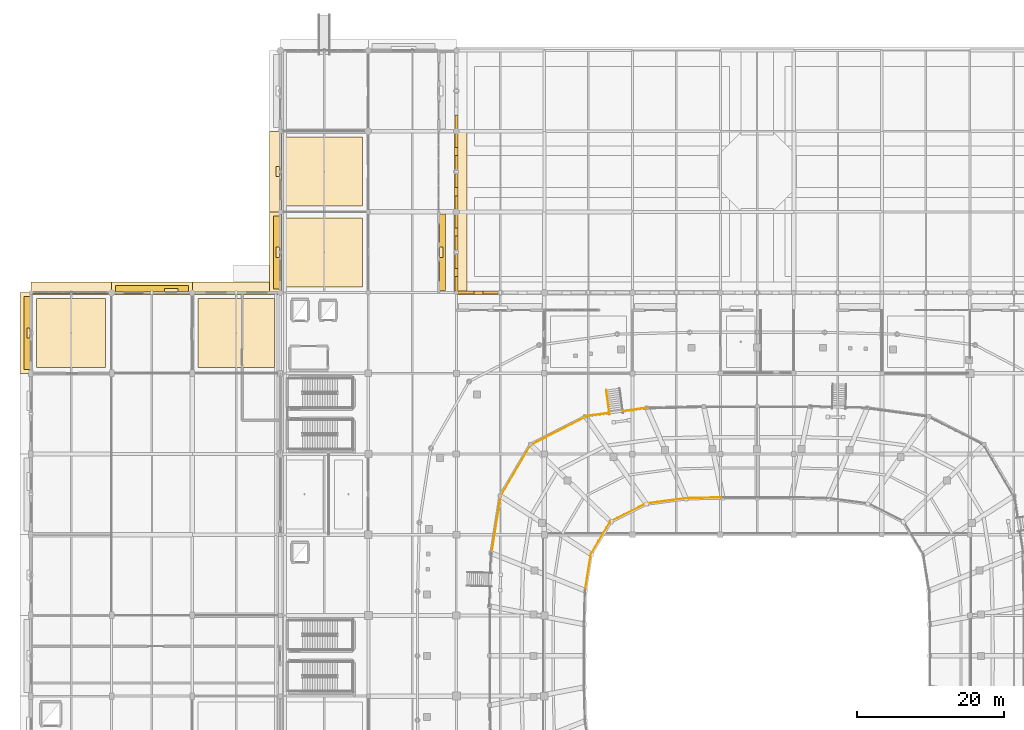
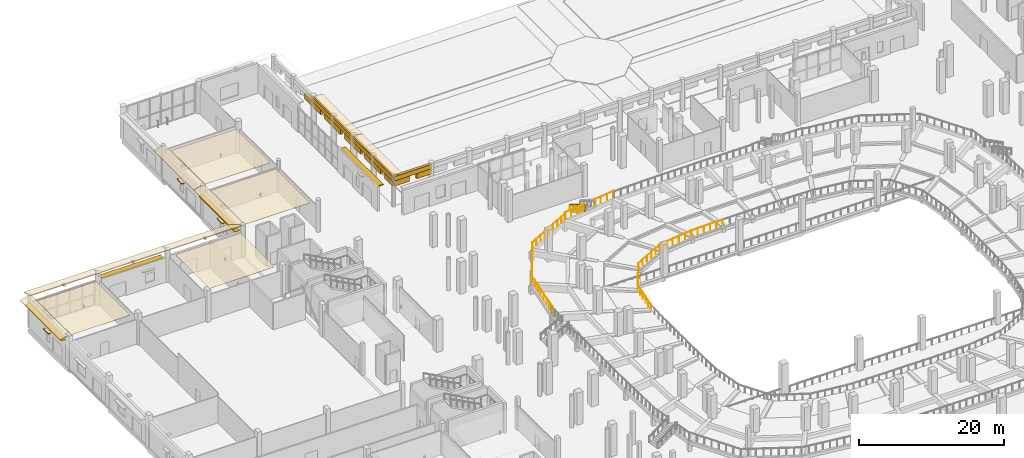
# One storey, part 105 of 120: 33 coverings, 12 railings, 4 shading devices.
"""IFC4 building model written with IfcOpenShell, lengths in metres."""

from ifc_helpers import new_model, si_unit, direction, frame, origin, origin_2d, place, context, subcontext, project, spatial, polyline, rectangle, circle, outline, extrude, material, layer, layer_set, type_object, element, save


model = new_model("IFC4")

# Units and contexts
model_context = context("Model", 3, precision=1e-05, world=origin(), true_north=direction((0.0, 1.0)))
body_context = subcontext(model_context, "Body", "Model", "MODEL_VIEW")
ifc_project = project(units=[si_unit("LENGTHUNIT", "METRE"), si_unit("AREAUNIT", "SQUARE_METRE"), si_unit("VOLUMEUNIT", "CUBIC_METRE"), si_unit("PLANEANGLEUNIT", "RADIAN"), si_unit("MASSUNIT", "GRAM", prefix="KILO")], contexts=[model_context])

# Site, building, storey
site_placement = place(None, origin())
site = spatial("IfcSite", under=ifc_project, at=site_placement, CompositionType="ELEMENT")
building_placement = place(site_placement, origin())
building = spatial("IfcBuilding", under=site, at=building_placement, Name="Luwafu Chhajja Arena", CompositionType="ELEMENT")
storey_placement = place(building_placement, origin())
storey = spatial("IfcBuildingStorey", under=building, at=storey_placement, Name="L00", CompositionType="ELEMENT", Elevation=0.0)

# Railings
ifc_material_1 = material(Name="Stainless steel balustrade", Category="steel")
railing_type_1 = type_object("IfcRailingType", Name="Atrium Void Glazed Balustrade 1150", PredefinedType="BALUSTRADE", material=ifc_material_1)
railing_1_placement = place(storey_placement, frame((78.434814453125, 85.72412109375, 0.0)))
element("IfcRailing", 1, at=railing_1_placement, inside=storey, type_object=railing_type_1, Name="L00 Vomitory VM-03 Guard L", PredefinedType="BALUSTRADE", context=body_context, shape_type="SweptSolid", body=[
    extrude(circle(Radius=0.02392578125, at=origin_2d()), frame((0.0, 0.0, 1.1259765625), z_axis=(0.116223580607, -0.854045931418, 0.507047952702), x_axis=(0.990866977807, 0.134842991261, 0.0)), (0.0, 0.0, 1.0), 3.648681640625),
    extrude(circle(Radius=0.02392578125, at=origin_2d()), frame((0.424072265625, -3.1162109375, 2.97607421875), z_axis=(0.13472111401, -0.990883555944, 0.0), x_axis=(0.990883555944, 0.13472111401, 0.0)), (0.0, 0.0, 1.0), 0.25),
    extrude(circle(Radius=0.02099609375, at=origin_2d()), origin(), (0.0, 0.0, 1.0), 1.101806640625),
    extrude(circle(Radius=0.02099609375, at=origin_2d()), frame((0.10595703125, -0.779052734375, 0.46240234375)), (0.0, 0.0, 1.0), 1.101806640625),
    extrude(circle(Radius=0.02099609375, at=origin_2d()), frame((0.2119140625, -1.55810546875, 0.925048828125)), (0.0, 0.0, 1.0), 1.101806640625),
    extrude(circle(Radius=0.02099609375, at=origin_2d()), frame((0.318115234375, -2.337158203125, 1.3876953125)), (0.0, 0.0, 1.0), 1.101806640625),
    extrude(circle(Radius=0.02099609375, at=origin_2d()), frame((0.424072265625, -3.1162109375, 1.85009765625)), (0.0, 0.0, 1.0), 1.101806640625),
    extrude(circle(Radius=0.02099609375, at=origin_2d()), frame((0.457763671875, -3.364013671875, 1.85009765625)), (0.0, 0.0, 1.0), 1.101806640625),
])
railing_2_placement = place(storey_placement, frame((75.572265625, 82.16064453125, 1.85009765625)))
element("IfcRailing", 2, at=railing_2_placement, inside=storey, type_object=railing_type_1, Name="L00 Vomitory VM-03 Wing Guard L", PredefinedType="BALUSTRADE", context=body_context, shape_type="SweptSolid", body=[
    extrude(circle(Radius=0.02392578125, at=origin_2d()), frame((0.0, 0.0, 1.1259765625), z_axis=(0.990866859152, 0.134843863168, 0.0), x_axis=(-0.134843863168, 0.990866859152, 0.0)), (0.0, 0.0, 1.0), 3.31689453125),
    extrude(circle(Radius=0.02099609375, at=origin_2d()), origin(), (0.0, 0.0, 1.0), 1.101806640625),
    extrude(circle(Radius=0.02099609375, at=origin_2d()), frame((1.095458984375, 0.149169921875, 0.0)), (0.0, 0.0, 1.0), 1.101806640625),
    extrude(circle(Radius=0.02099609375, at=origin_2d()), frame((2.191162109375, 0.298095703125, 0.0)), (0.0, 0.0, 1.0), 1.101806640625),
    extrude(circle(Radius=0.02099609375, at=origin_2d()), frame((3.28662109375, 0.447265625, 0.0)), (0.0, 0.0, 1.0), 1.101806640625),
])
railing_3_placement = place(storey_placement, frame((80.681884765625, 82.85595703125, 1.85009765625)))
element("IfcRailing", 3, at=railing_3_placement, inside=storey, type_object=railing_type_1, Name="L00 Vomitory VM-03 Wing Guard R", PredefinedType="BALUSTRADE", context=body_context, shape_type="SweptSolid", body=[
    extrude(circle(Radius=0.02392578125, at=origin_2d()), frame((0.0, 0.0, 1.1259765625), z_axis=(0.990868197351, 0.13483402938, 0.0), x_axis=(-0.13483402938, 0.990868197351, 0.0)), (0.0, 0.0, 1.0), 3.317138671875),
    extrude(circle(Radius=0.02099609375, at=origin_2d()), origin(), (0.0, 0.0, 1.0), 1.101806640625),
    extrude(circle(Radius=0.02099609375, at=origin_2d()), frame((1.095703125, 0.149169921875, 0.0)), (0.0, 0.0, 1.0), 1.101806640625),
    extrude(circle(Radius=0.02099609375, at=origin_2d()), frame((2.191162109375, 0.298095703125, 0.0)), (0.0, 0.0, 1.0), 1.101806640625),
    extrude(circle(Radius=0.02099609375, at=origin_2d()), frame((3.286865234375, 0.447265625, 0.0)), (0.0, 0.0, 1.0), 1.101806640625),
])

# Coverings
ifc_material_2 = material(Name="Red laterite sandstone cladding", Category="masonry")
ifc_layer_1 = layer(ifc_material_2, 0.074951171875, Name="Red laterite sandstone cladding")
ifc_layer_set_1 = layer_set([ifc_layer_1], Name="Red laterite sandstone cladding")
covering_type_1 = type_object("IfcCoveringType", Name="Dressed Red-Laterite Sandstone Cladding", PredefinedType="CLADDING", material=ifc_layer_set_1)
covering_1_placement = place(storey_placement, frame((61.0, 99.0, 4.33984375), z_axis=(0.0, 0.0, 1.0), x_axis=(1.0, 0.0, 0.0)))
element("IfcCovering", 4, at=covering_1_placement, inside=storey, type_object=covering_type_1, Name="L00 Mughal Riwaq Arcade Arch Frieze CHS-15", PredefinedType="CLADDING", context=body_context, shape_type="SweptSolid", body=[
    extrude(rectangle(XDim=6.0, YDim=0.43994140625, at=origin_2d()), origin(), (0.0, 0.0, 1.0), 0.719970703125),
])
for number, where, z_axis, x_axis, name in (
    (5, (59.199951171875, 99.0, 3.43994140625), (0.0, 0.0, 1.0), (1.0, 0.0, 0.0), "L00 Mughal Riwaq Corbelled Arch Haunch CHS-15A"),
    (6, (62.800048828125, 99.0, 3.43994140625), (0.0, 0.0, 1.0), (1.0, 0.0, 0.0), "L00 Mughal Riwaq Corbelled Arch Haunch CHS-15B"),
):
    element("IfcCovering", number, at=place(storey_placement, frame(where, z_axis=z_axis, x_axis=x_axis)), inside=storey, type_object=covering_type_1, Name=name, PredefinedType="CLADDING", context=body_context, shape_type="SweptSolid", body=[
        extrude(rectangle(XDim=2.39990234375, YDim=0.39990234375, at=origin_2d()), origin(), (0.0, 0.0, 1.0), 0.9599609375),
    ])
covering_2_placement = place(storey_placement, frame((58.0, 101.75, 4.33984375), z_axis=(0.0, 0.0, 1.0), x_axis=(0.0, 1.0, 0.0)))
element("IfcCovering", 7, at=covering_2_placement, inside=storey, type_object=covering_type_1, Name="L00 Mughal Riwaq Arcade Arch Frieze CHW-29", PredefinedType="CLADDING", context=body_context, shape_type="SweptSolid", body=[
    extrude(rectangle(XDim=5.5, YDim=0.43994140625, at=origin_2d()), origin(), (0.0, 0.0, 1.0), 0.719970703125),
])
for number, where, z_axis, x_axis, name in (
    (8, (58.0, 100.10009765625, 3.43994140625), (0.0, 0.0, 1.0), (0.0, 1.0, 0.0), "L00 Mughal Riwaq Corbelled Arch Haunch CHW-29A"),
    (9, (58.0, 103.39990234375, 3.43994140625), (0.0, 0.0, 1.0), (0.0, 1.0, 0.0), "L00 Mughal Riwaq Corbelled Arch Haunch CHW-29B"),
):
    element("IfcCovering", number, at=place(storey_placement, frame(where, z_axis=z_axis, x_axis=x_axis)), inside=storey, type_object=covering_type_1, Name=name, PredefinedType="CLADDING", context=body_context, shape_type="SweptSolid", body=[
        extrude(rectangle(XDim=2.199951171875, YDim=0.39990234375, at=origin_2d()), origin(), (0.0, 0.0, 1.0), 0.9599609375),
    ])
covering_3_placement = place(storey_placement, frame((58.0, 107.25, 4.33984375), z_axis=(0.0, 0.0, 1.0), x_axis=(0.0, 1.0, 0.0)))
element("IfcCovering", 10, at=covering_3_placement, inside=storey, type_object=covering_type_1, Name="L00 Mughal Riwaq Arcade Arch Frieze CHW-30", PredefinedType="CLADDING", context=body_context, shape_type="SweptSolid", body=[
    extrude(rectangle(XDim=5.5, YDim=0.43994140625, at=origin_2d()), origin(), (0.0, 0.0, 1.0), 0.719970703125),
])
for number, where, z_axis, x_axis, name in (
    (11, (58.0, 105.60009765625, 3.43994140625), (0.0, 0.0, 1.0), (0.0, 1.0, 0.0), "L00 Mughal Riwaq Corbelled Arch Haunch CHW-30A"),
    (12, (58.0, 108.89990234375, 3.43994140625), (0.0, 0.0, 1.0), (0.0, 1.0, 0.0), "L00 Mughal Riwaq Corbelled Arch Haunch CHW-30B"),
):
    element("IfcCovering", number, at=place(storey_placement, frame(where, z_axis=z_axis, x_axis=x_axis)), inside=storey, type_object=covering_type_1, Name=name, PredefinedType="CLADDING", context=body_context, shape_type="SweptSolid", body=[
        extrude(rectangle(XDim=2.199951171875, YDim=0.39990234375, at=origin_2d()), origin(), (0.0, 0.0, 1.0), 0.9599609375),
    ])
covering_4_placement = place(storey_placement, frame((58.0, 112.75, 4.33984375), z_axis=(0.0, 0.0, 1.0), x_axis=(0.0, 1.0, 0.0)))
element("IfcCovering", 13, at=covering_4_placement, inside=storey, type_object=covering_type_1, Name="L00 Mughal Riwaq Arcade Arch Frieze CHW-33", PredefinedType="CLADDING", context=body_context, shape_type="SweptSolid", body=[
    extrude(rectangle(XDim=5.5, YDim=0.43994140625, at=origin_2d()), origin(), (0.0, 0.0, 1.0), 0.719970703125),
])
for number, where, z_axis, x_axis, name in (
    (14, (58.0, 111.10009765625, 3.43994140625), (0.0, 0.0, 1.0), (0.0, 1.0, 0.0), "L00 Mughal Riwaq Corbelled Arch Haunch CHW-33A"),
    (15, (58.0, 114.39990234375, 3.43994140625), (0.0, 0.0, 1.0), (0.0, 1.0, 0.0), "L00 Mughal Riwaq Corbelled Arch Haunch CHW-33B"),
):
    element("IfcCovering", number, at=place(storey_placement, frame(where, z_axis=z_axis, x_axis=x_axis)), inside=storey, type_object=covering_type_1, Name=name, PredefinedType="CLADDING", context=body_context, shape_type="SweptSolid", body=[
        extrude(rectangle(XDim=2.199951171875, YDim=0.39990234375, at=origin_2d()), origin(), (0.0, 0.0, 1.0), 0.9599609375),
    ])
covering_5_placement = place(storey_placement, frame((58.0, 118.25, 4.33984375), z_axis=(0.0, 0.0, 1.0), x_axis=(0.0, 1.0, 0.0)))
element("IfcCovering", 16, at=covering_5_placement, inside=storey, type_object=covering_type_1, Name="L00 Mughal Riwaq Arcade Arch Frieze CHW-34", PredefinedType="CLADDING", context=body_context, shape_type="SweptSolid", body=[
    extrude(rectangle(XDim=5.5, YDim=0.43994140625, at=origin_2d()), origin(), (0.0, 0.0, 1.0), 0.719970703125),
])
for number, where, z_axis, x_axis, name in (
    (17, (58.0, 116.60009765625, 3.43994140625), (0.0, 0.0, 1.0), (0.0, 1.0, 0.0), "L00 Mughal Riwaq Corbelled Arch Haunch CHW-34A"),
    (18, (58.0, 119.89990234375, 3.43994140625), (0.0, 0.0, 1.0), (0.0, 1.0, 0.0), "L00 Mughal Riwaq Corbelled Arch Haunch CHW-34B"),
    (19, (58.0, 122.10009765625, 3.43994140625), (0.0, 0.0, 1.0), (0.0, 1.0, 0.0), "L00 Mughal Riwaq Corbelled Arch Haunch CHW-37A"),
):
    element("IfcCovering", number, at=place(storey_placement, frame(where, z_axis=z_axis, x_axis=x_axis)), inside=storey, type_object=covering_type_1, Name=name, PredefinedType="CLADDING", context=body_context, shape_type="SweptSolid", body=[
        extrude(rectangle(XDim=2.199951171875, YDim=0.39990234375, at=origin_2d()), origin(), (0.0, 0.0, 1.0), 0.9599609375),
    ])
for number, where, z_axis, x_axis, name in (
    (20, (0.0, 98.800048828125, 5.360107421875), (0.0, 0.242635142566, 0.970117615339), (1.0, 0.0, 0.0), "L00 Continuous Sloped Sandstone Chhajja Eave 0010"),
    (21, (0.199951171875, 88.0, 5.360107421875), (-0.242635142566, 0.0, 0.970117615339), (0.0, 1.0, 0.0), "L00 Continuous Sloped Sandstone Chhajja Eave 0011"),
    (22, (11.0, 98.800048828125, 5.360107421875), (0.0, 0.242635142566, 0.970117615339), (1.0, 0.0, 0.0), "L00 Continuous Sloped Sandstone Chhajja Eave 0013"),
):
    element("IfcCovering", number, at=place(storey_placement, frame(where, z_axis=z_axis, x_axis=x_axis)), inside=storey, type_object=covering_type_1, Name=name, PredefinedType="CLADDING", context=body_context, shape_type="SweptSolid", body=[
        extrude(outline(polyline([(0.0, 0.0), (11.0, 0.0), (11.0, 1.7316783182390405), (0.0, 1.7316783182390405), (0.0, 0.0)])), origin(), (0.0, 0.0, -1.0), 0.1298828125),
    ])
covering_6_placement = place(storey_placement, frame((22.0, 98.800048828125, 5.360107421875), z_axis=(0.0, 0.242635142566, 0.970117615339), x_axis=(1.0, 0.0, 0.0)))
element("IfcCovering", 23, at=covering_6_placement, inside=storey, type_object=covering_type_1, Name="L00 Continuous Sloped Sandstone Chhajja Eave 0015", PredefinedType="CLADDING", context=body_context, shape_type="SweptSolid", body=[
    extrude(outline(polyline([(0.0, 0.0), (12.0, 0.0), (12.0, 1.7316783182390405), (0.0, 1.7316783182390405), (0.0, 0.0)])), origin(), (0.0, 0.0, -1.0), 0.1298828125),
])
for number, where, z_axis, x_axis, name in (
    (24, (34.199951171875, 99.0, 5.360107421875), (-0.242635142566, 0.0, 0.970117615339), (0.0, 1.0, 0.0), "L00 Continuous Sloped Sandstone Chhajja Eave 0017"),
    (25, (34.199951171875, 110.0, 5.360107421875), (-0.242635142566, 0.0, 0.970117615339), (0.0, 1.0, 0.0), "L00 Continuous Sloped Sandstone Chhajja Eave 0018"),
):
    element("IfcCovering", number, at=place(storey_placement, frame(where, z_axis=z_axis, x_axis=x_axis)), inside=storey, type_object=covering_type_1, Name=name, PredefinedType="CLADDING", context=body_context, shape_type="SweptSolid", body=[
        extrude(outline(polyline([(0.0, 0.0), (11.0, 0.0), (11.0, 1.7316783182390405), (0.0, 1.7316783182390405), (0.0, 0.0)])), origin(), (0.0, 0.0, -1.0), 0.1298828125),
    ])
for number, where, z_axis, x_axis, name in (
    (26, (57.800048828125, 99.0, 5.360107421875), (0.242635142566, 0.0, 0.970117615339), (0.0, 1.0, 0.0), "L00 Continuous Sloped Sandstone Chhajja Eave 0023"),
    (27, (57.800048828125, 110.0, 5.360107421875), (0.242635142566, 0.0, 0.970117615339), (0.0, 1.0, 0.0), "L00 Continuous Sloped Sandstone Chhajja Eave 0024"),
):
    element("IfcCovering", number, at=place(storey_placement, frame(where, z_axis=z_axis, x_axis=x_axis)), inside=storey, type_object=covering_type_1, Name=name, PredefinedType="CLADDING", context=body_context, shape_type="SweptSolid", body=[
        extrude(outline(polyline([(0.0, 0.0), (11.0, 0.0), (11.0, -1.7316783182390405), (0.0, -1.7316783182390405), (0.0, 0.0)])), origin(), (0.0, 0.0, -1.0), 0.1298828125),
    ])
covering_7_placement = place(storey_placement, frame((-0.340087890625, 93.5, 2.6298828125), z_axis=(0.0, 0.0, 1.0), x_axis=(0.0, 1.0, 0.0)))
element("IfcCovering", 28, at=covering_7_placement, inside=storey, type_object=covering_type_1, Name="L00 Mughal Sandstone Window Chhajja Hood 0149", PredefinedType="CLADDING", context=body_context, shape_type="SweptSolid", body=[
    extrude(rectangle(XDim=1.39990234375, YDim=0.419921875, at=origin_2d()), origin(), (0.0, 0.0, 1.0), 0.139892578125),
])
covering_8_placement = place(storey_placement, frame((19.139892578125, 99.340087890625, 2.47998046875), z_axis=(0.0, 0.0, 1.0), x_axis=(1.0, 0.0, 0.0)))
element("IfcCovering", 29, at=covering_8_placement, inside=storey, type_object=covering_type_1, Name="L00 Mughal Sandstone Window Chhajja Hood 0151", PredefinedType="CLADDING", context=body_context, shape_type="SweptSolid", body=[
    extrude(rectangle(XDim=1.89990234375, YDim=0.419921875, at=origin_2d()), origin(), (0.0, 0.0, 1.0), 0.139892578125),
])
for number, where, z_axis, x_axis, name in (
    (30, (33.659912109375, 104.5, 2.6298828125), (0.0, 0.0, 1.0), (0.0, 1.0, 0.0), "L00 Mughal Sandstone Window Chhajja Hood 0154"),
    (31, (33.659912109375, 115.5, 2.6298828125), (0.0, 0.0, 1.0), (0.0, 1.0, 0.0), "L00 Mughal Sandstone Window Chhajja Hood 0155"),
    (32, (55.93994140625, 104.5, 2.6298828125), (0.0, 0.0, 1.0), (0.0, 1.0, 0.0), "L00 Mughal Sandstone Window Chhajja Hood 0157"),
):
    element("IfcCovering", number, at=place(storey_placement, frame(where, z_axis=z_axis, x_axis=x_axis)), inside=storey, type_object=covering_type_1, Name=name, PredefinedType="CLADDING", context=body_context, shape_type="SweptSolid", body=[
        extrude(rectangle(XDim=1.39990234375, YDim=0.419921875, at=origin_2d()), origin(), (0.0, 0.0, 1.0), 0.139892578125),
    ])
ifc_material_3 = material(Name="Acoustic gypsum ceiling board")
ifc_layer_2 = layer(ifc_material_3, 0.0400390625, Name="Acoustic gypsum ceiling board")
ifc_layer_set_2 = layer_set([ifc_layer_2], Name="Acoustic gypsum ceiling board")
covering_type_2 = type_object("IfcCoveringType", Name="Perforated Acoustic Baffle Ceiling", PredefinedType="CEILING", material=ifc_layer_set_2)
covering_9_placement = place(storey_placement, frame((0.0, 0.0, 4.5029296875)))
element("IfcCovering", 33, at=covering_9_placement, inside=storey, type_object=covering_type_2, Name="L00 Acoustic Baffle Ceiling 001", PredefinedType="CEILING", context=body_context, shape_type="SweptSolid", body=[
    extrude(outline(polyline([(0.800048828125, 88.800048828125), (10.199951171875, 88.800048828125), (10.199951171875, 98.199951171875), (0.800048828125, 98.199951171875), (0.800048828125, 88.800048828125)])), origin(), (0.0, 0.0, 1.0), 0.0400390625),
])
covering_10_placement = place(storey_placement, frame((0.0, 0.0, 4.581298828125)))
element("IfcCovering", 34, at=covering_10_placement, inside=storey, type_object=covering_type_2, Name="L00 Acoustic Baffle Ceiling 003", PredefinedType="CEILING", context=body_context, shape_type="SweptSolid", body=[
    extrude(outline(polyline([(22.800048828125, 88.800048828125), (33.199951171875, 88.800048828125), (33.199951171875, 98.199951171875), (22.800048828125, 98.199951171875), (22.800048828125, 88.800048828125)])), origin(), (0.0, 0.0, 1.0), 0.0400390625),
])
covering_11_placement = place(storey_placement, frame((0.0, 0.0, 4.5029296875)))
element("IfcCovering", 35, at=covering_11_placement, inside=storey, type_object=covering_type_2, Name="L00 Acoustic Baffle Ceiling 008", PredefinedType="CEILING", context=body_context, shape_type="SweptSolid", body=[
    extrude(outline(polyline([(34.800048828125, 99.800048828125), (45.199951171875, 99.800048828125), (45.199951171875, 109.199951171875), (34.800048828125, 109.199951171875), (34.800048828125, 99.800048828125)])), origin(), (0.0, 0.0, 1.0), 0.0400390625),
])
covering_12_placement = place(storey_placement, frame((0.0, 0.0, 4.575927734375)))
element("IfcCovering", 36, at=covering_12_placement, inside=storey, type_object=covering_type_2, Name="L00 Acoustic Baffle Ceiling 009", PredefinedType="CEILING", context=body_context, shape_type="SweptSolid", body=[
    extrude(outline(polyline([(34.800048828125, 110.800048828125), (45.199951171875, 110.800048828125), (45.199951171875, 120.199951171875), (34.800048828125, 120.199951171875), (34.800048828125, 110.800048828125)])), origin(), (0.0, 0.0, 1.0), 0.0400390625),
])

# Railings
railing_type_2 = type_object("IfcRailingType", Name="Seating Bowl Sightline Barrier 1100", PredefinedType="BALUSTRADE", material=ifc_material_1)
railing_4_placement = place(storey_placement, frame((94.306884765625, 71.09423828125, 0.85009765625)))
element("IfcRailing", 37, at=railing_4_placement, inside=storey, type_object=railing_type_2, Name="L00 Lower Tier Front Barrier 0080", PredefinedType="BALUSTRADE", context=body_context, shape_type="SweptSolid", body=[
    extrude(circle(Radius=0.02392578125, at=origin_2d()), frame((0.0, 0.0, 1.09619140625), z_axis=(-0.999719144637, -0.023698773078, 0.0), x_axis=(0.023698773078, -0.999719144637, 0.0)), (0.0, 0.0, 1.0), 5.02734375),
    extrude(circle(Radius=0.02099609375, at=origin_2d()), origin(), (0.0, 0.0, 1.0), 1.072021484375),
    extrude(circle(Radius=0.02099609375, at=origin_2d()), frame((-1.005126953125, -0.02392578125, 0.0)), (0.0, 0.0, 1.0), 1.072021484375),
    extrude(circle(Radius=0.02099609375, at=origin_2d()), frame((-2.01025390625, -0.047607421875, 0.0)), (0.0, 0.0, 1.0), 1.072021484375),
    extrude(circle(Radius=0.02099609375, at=origin_2d()), frame((-3.015625, -0.071533203125, 0.0)), (0.0, 0.0, 1.0), 1.072021484375),
    extrude(circle(Radius=0.02099609375, at=origin_2d()), frame((-4.020751953125, -0.09521484375, 0.0)), (0.0, 0.0, 1.0), 1.072021484375),
    extrude(circle(Radius=0.02099609375, at=origin_2d()), frame((-5.02587890625, -0.119140625, 0.0)), (0.0, 0.0, 1.0), 1.072021484375),
])
railing_5_placement = place(storey_placement, frame((89.281005859375, 70.97509765625, 0.85009765625)))
element("IfcRailing", 38, at=railing_5_placement, inside=storey, type_object=railing_type_2, Name="L00 Lower Tier Front Barrier 0084", PredefinedType="BALUSTRADE", context=body_context, shape_type="SweptSolid", body=[
    extrude(circle(Radius=0.02392578125, at=origin_2d()), frame((0.0, 0.0, 1.09619140625), z_axis=(-0.991174094969, -0.132566637814, 0.0), x_axis=(0.132566637814, -0.991174094969, 0.0)), (0.0, 0.0, 1.0), 5.47705078125),
    extrude(circle(Radius=0.02099609375, at=origin_2d()), origin(), (0.0, 0.0, 1.0), 1.072021484375),
    extrude(circle(Radius=0.02099609375, at=origin_2d()), frame((-1.085693359375, -0.145263671875, 0.0)), (0.0, 0.0, 1.0), 1.072021484375),
    extrude(circle(Radius=0.02099609375, at=origin_2d()), frame((-2.17138671875, -0.29052734375, 0.0)), (0.0, 0.0, 1.0), 1.072021484375),
    extrude(circle(Radius=0.02099609375, at=origin_2d()), frame((-3.25732421875, -0.435546875, 0.0)), (0.0, 0.0, 1.0), 1.072021484375),
    extrude(circle(Radius=0.02099609375, at=origin_2d()), frame((-4.343017578125, -0.580810546875, 0.0)), (0.0, 0.0, 1.0), 1.072021484375),
    extrude(circle(Radius=0.02099609375, at=origin_2d()), frame((-5.4287109375, -0.72607421875, 0.0)), (0.0, 0.0, 1.0), 1.072021484375),
])
railing_6_placement = place(storey_placement, frame((83.852294921875, 70.2490234375, 0.85009765625)))
element("IfcRailing", 39, at=railing_6_placement, inside=storey, type_object=railing_type_2, Name="L00 Lower Tier Front Barrier 0086", PredefinedType="BALUSTRADE", context=body_context, shape_type="SweptSolid", body=[
    extrude(circle(Radius=0.02392578125, at=origin_2d()), frame((0.0, 0.0, 1.09619140625), z_axis=(-0.894121668342, -0.447824119717, 0.0), x_axis=(0.447824119717, -0.894121668342, 0.0)), (0.0, 0.0, 1.0), 5.4375),
    extrude(circle(Radius=0.02099609375, at=origin_2d()), origin(), (0.0, 0.0, 1.0), 1.072021484375),
    extrude(circle(Radius=0.02099609375, at=origin_2d()), frame((-0.972412109375, -0.487060546875, 0.0)), (0.0, 0.0, 1.0), 1.072021484375),
    extrude(circle(Radius=0.02099609375, at=origin_2d()), frame((-1.94482421875, -0.97412109375, 0.0)), (0.0, 0.0, 1.0), 1.072021484375),
    extrude(circle(Radius=0.02099609375, at=origin_2d()), frame((-2.9169921875, -1.4609375, 0.0)), (0.0, 0.0, 1.0), 1.072021484375),
    extrude(circle(Radius=0.02099609375, at=origin_2d()), frame((-3.889404296875, -1.947998046875, 0.0)), (0.0, 0.0, 1.0), 1.072021484375),
    extrude(circle(Radius=0.02099609375, at=origin_2d()), frame((-4.86181640625, -2.43505859375, 0.0)), (0.0, 0.0, 1.0), 1.072021484375),
])
railing_7_placement = place(storey_placement, frame((75.636474609375, 82.064453125, 1.85009765625)))
element("IfcRailing", 40, at=railing_7_placement, inside=storey, type_object=railing_type_2, Name="L00 Lower Tier Rear Barrier 0088", PredefinedType="BALUSTRADE", context=body_context, shape_type="SweptSolid", body=[
    extrude(circle(Radius=0.02392578125, at=origin_2d()), frame((0.0, 0.0, 1.09619140625), z_axis=(-0.890960455161, -0.454080903959, 0.0), x_axis=(0.454080903959, -0.890960455161, 0.0)), (0.0, 0.0, 1.0), 8.41650390625),
    extrude(circle(Radius=0.02099609375, at=origin_2d()), origin(), (0.0, 0.0, 1.0), 1.072021484375),
    extrude(circle(Radius=0.02099609375, at=origin_2d()), frame((-0.937255859375, -0.477783203125, 0.0)), (0.0, 0.0, 1.0), 1.072021484375),
    extrude(circle(Radius=0.02099609375, at=origin_2d()), frame((-1.874755859375, -0.95556640625, 0.0)), (0.0, 0.0, 1.0), 1.072021484375),
    extrude(circle(Radius=0.02099609375, at=origin_2d()), frame((-2.81201171875, -1.43310546875, 0.0)), (0.0, 0.0, 1.0), 1.072021484375),
    extrude(circle(Radius=0.02099609375, at=origin_2d()), frame((-3.74951171875, -1.910888671875, 0.0)), (0.0, 0.0, 1.0), 1.072021484375),
    extrude(circle(Radius=0.02099609375, at=origin_2d()), frame((-4.686767578125, -2.388671875, 0.0)), (0.0, 0.0, 1.0), 1.072021484375),
    extrude(circle(Radius=0.02099609375, at=origin_2d()), frame((-5.6240234375, -2.8662109375, 0.0)), (0.0, 0.0, 1.0), 1.072021484375),
    extrude(circle(Radius=0.02099609375, at=origin_2d()), frame((-6.5615234375, -3.343994140625, 0.0)), (0.0, 0.0, 1.0), 1.072021484375),
    extrude(circle(Radius=0.02099609375, at=origin_2d()), frame((-7.498779296875, -3.82177734375, 0.0)), (0.0, 0.0, 1.0), 1.072021484375),
])
railing_8_placement = place(storey_placement, frame((78.990478515625, 67.81396484375, 0.85009765625)))
element("IfcRailing", 41, at=railing_8_placement, inside=storey, type_object=railing_type_2, Name="L00 Lower Tier Front Barrier 0090", PredefinedType="BALUSTRADE", context=body_context, shape_type="SweptSolid", body=[
    extrude(circle(Radius=0.02392578125, at=origin_2d()), frame((0.0, 0.0, 1.09619140625), z_axis=(-0.513207192102, -0.858264748183, 0.0), x_axis=(0.858264748183, -0.513207192102, 0.0)), (0.0, 0.0, 1.0), 5.184814453125),
    extrude(circle(Radius=0.02099609375, at=origin_2d()), origin(), (0.0, 0.0, 1.0), 1.072021484375),
    extrude(circle(Radius=0.02099609375, at=origin_2d()), frame((-0.5322265625, -0.889892578125, 0.0)), (0.0, 0.0, 1.0), 1.072021484375),
    extrude(circle(Radius=0.02099609375, at=origin_2d()), frame((-1.064453125, -1.780029296875, 0.0)), (0.0, 0.0, 1.0), 1.072021484375),
    extrude(circle(Radius=0.02099609375, at=origin_2d()), frame((-1.596435546875, -2.669921875, 0.0)), (0.0, 0.0, 1.0), 1.072021484375),
    extrude(circle(Radius=0.02099609375, at=origin_2d()), frame((-2.128662109375, -3.56005859375, 0.0)), (0.0, 0.0, 1.0), 1.072021484375),
    extrude(circle(Radius=0.02099609375, at=origin_2d()), frame((-2.660888671875, -4.449951171875, 0.0)), (0.0, 0.0, 1.0), 1.072021484375),
])
railing_9_placement = place(storey_placement, frame((68.1376953125, 78.24267578125, 1.85009765625)))
element("IfcRailing", 42, at=railing_9_placement, inside=storey, type_object=railing_type_2, Name="L00 Lower Tier Rear Barrier 0092", PredefinedType="BALUSTRADE", context=body_context, shape_type="SweptSolid", body=[
    extrude(circle(Radius=0.02392578125, at=origin_2d()), frame((0.0, 0.0, 1.09619140625), z_axis=(-0.506615704922, -0.862171982569, 0.0), x_axis=(0.862171982569, -0.506615704922, 0.0)), (0.0, 0.0, 1.0), 8.100341796875),
    extrude(circle(Radius=0.02099609375, at=origin_2d()), origin(), (0.0, 0.0, 1.0), 1.072021484375),
    extrude(circle(Radius=0.02099609375, at=origin_2d()), frame((-0.586181640625, -0.997802734375, 0.0)), (0.0, 0.0, 1.0), 1.072021484375),
    extrude(circle(Radius=0.02099609375, at=origin_2d()), frame((-1.172607421875, -1.995361328125, 0.0)), (0.0, 0.0, 1.0), 1.072021484375),
    extrude(circle(Radius=0.02099609375, at=origin_2d()), frame((-1.7587890625, -2.9931640625, 0.0)), (0.0, 0.0, 1.0), 1.072021484375),
    extrude(circle(Radius=0.02099609375, at=origin_2d()), frame((-2.344970703125, -3.99072265625, 0.0)), (0.0, 0.0, 1.0), 1.072021484375),
    extrude(circle(Radius=0.02099609375, at=origin_2d()), frame((-2.93115234375, -4.988525390625, 0.0)), (0.0, 0.0, 1.0), 1.072021484375),
    extrude(circle(Radius=0.02099609375, at=origin_2d()), frame((-3.517578125, -5.986083984375, 0.0)), (0.0, 0.0, 1.0), 1.072021484375),
    extrude(circle(Radius=0.02099609375, at=origin_2d()), frame((-4.103759765625, -6.98388671875, 0.0)), (0.0, 0.0, 1.0), 1.072021484375),
])
railing_10_placement = place(storey_placement, frame((76.32958984375, 63.364013671875, 0.85009765625)))
element("IfcRailing", 43, at=railing_10_placement, inside=storey, type_object=railing_type_2, Name="L00 Lower Tier Front Barrier 0094", PredefinedType="BALUSTRADE", context=body_context, shape_type="SweptSolid", body=[
    extrude(circle(Radius=0.02392578125, at=origin_2d()), frame((0.0, 0.0, 1.09619140625), z_axis=(-0.157596868807, -0.987503532623, 0.0), x_axis=(0.987503532623, -0.157596868807, 0.0)), (0.0, 0.0, 1.0), 5.03173828125),
    extrude(circle(Radius=0.02099609375, at=origin_2d()), origin(), (0.0, 0.0, 1.0), 1.072021484375),
    extrude(circle(Radius=0.02099609375, at=origin_2d()), frame((-0.15869140625, -0.99365234375, 0.0)), (0.0, 0.0, 1.0), 1.072021484375),
    extrude(circle(Radius=0.02099609375, at=origin_2d()), frame((-0.317138671875, -1.987548828125, 0.0)), (0.0, 0.0, 1.0), 1.072021484375),
    extrude(circle(Radius=0.02099609375, at=origin_2d()), frame((-0.475830078125, -2.981201171875, 0.0)), (0.0, 0.0, 1.0), 1.072021484375),
    extrude(circle(Radius=0.02099609375, at=origin_2d()), frame((-0.63427734375, -3.97509765625, 0.0)), (0.0, 0.0, 1.0), 1.072021484375),
    extrude(circle(Radius=0.02099609375, at=origin_2d()), frame((-0.79296875, -4.96875, 0.0)), (0.0, 0.0, 1.0), 1.072021484375),
])
railing_11_placement = place(storey_placement, frame((64.033935546875, 71.2587890625, 1.85009765625)))
element("IfcRailing", 44, at=railing_11_placement, inside=storey, type_object=railing_type_2, Name="L00 Lower Tier Rear Barrier 0096", PredefinedType="BALUSTRADE", context=body_context, shape_type="SweptSolid", body=[
    extrude(circle(Radius=0.02392578125, at=origin_2d()), frame((0.0, 0.0, 1.09619140625), z_axis=(-0.154957114675, -0.987921197572, 0.0), x_axis=(0.987921197572, -0.154957114675, 0.0)), (0.0, 0.0, 1.0), 7.8935546875),
    extrude(circle(Radius=0.02099609375, at=origin_2d()), origin(), (0.0, 0.0, 1.0), 1.072021484375),
    extrude(circle(Radius=0.02099609375, at=origin_2d()), frame((-0.1748046875, -1.114013671875, 0.0)), (0.0, 0.0, 1.0), 1.072021484375),
    extrude(circle(Radius=0.02099609375, at=origin_2d()), frame((-0.349365234375, -2.22802734375, 0.0)), (0.0, 0.0, 1.0), 1.072021484375),
    extrude(circle(Radius=0.02099609375, at=origin_2d()), frame((-0.524169921875, -3.342041015625, 0.0)), (0.0, 0.0, 1.0), 1.072021484375),
    extrude(circle(Radius=0.02099609375, at=origin_2d()), frame((-0.698974609375, -4.4560546875, 0.0)), (0.0, 0.0, 1.0), 1.072021484375),
    extrude(circle(Radius=0.02099609375, at=origin_2d()), frame((-0.873779296875, -5.570068359375, 0.0)), (0.0, 0.0, 1.0), 1.072021484375),
    extrude(circle(Radius=0.02099609375, at=origin_2d()), frame((-1.04833984375, -6.68408203125, 0.0)), (0.0, 0.0, 1.0), 1.072021484375),
    extrude(circle(Radius=0.02099609375, at=origin_2d()), frame((-1.22314453125, -7.798095703125, 0.0)), (0.0, 0.0, 1.0), 1.072021484375),
])

# Shading devices
ifc_material_4 = material(Name="Red laterite sandstone chhajja", Category="masonry")
ifc_layer_3 = layer(ifc_material_4, 0.1201171875, Name="Red laterite sandstone chhajja")
ifc_layer_set_3 = layer_set([ifc_layer_3], Name="Red laterite sandstone chhajja")
shading_device_type = type_object("IfcShadingDeviceType", Name="Sloped Red-Sandstone Chhajja Eave", PredefinedType="USERDEFINED", material=ifc_layer_set_3)
for number, where, z_axis, x_axis, name in (
    (45, (-0.5400390625, 93.5, 4.22998046875), (0.0, 0.0, 1.0), (0.0, 1.0, 0.0), "L00 Sloped Red-Sandstone Chhajja Eave 006"),
    (46, (16.5, 99.5400390625, 3.929931640625), (0.0, 0.0, 1.0), (1.0, 0.0, 0.0), "L00 Sloped Red-Sandstone Chhajja Eave 007"),
    (47, (33.4599609375, 104.5, 3.929931640625), (0.0, 0.0, 1.0), (0.0, 1.0, 0.0), "L00 Sloped Red-Sandstone Chhajja Eave 009"),
):
    element("IfcShadingDevice", number, at=place(storey_placement, frame(where, z_axis=z_axis, x_axis=x_axis)), inside=storey, type_object=shading_device_type, Name=name, ObjectType="CHHAJJA", PredefinedType="USERDEFINED", context=body_context, shape_type="SweptSolid", body=[
        extrude(rectangle(XDim=9.9599609375, YDim=0.820068359375, at=origin_2d()), origin(), (0.0, 0.0, 1.0), 0.1201171875),
    ])
shading_device_placement = place(storey_placement, frame((56.139892578125, 104.5, 3.8798828125), z_axis=(0.0, 0.0, 1.0), x_axis=(0.0, 1.0, 0.0)))
element("IfcShadingDevice", 48, at=shading_device_placement, inside=storey, type_object=shading_device_type, Name="L00 Sloped Red-Sandstone Chhajja Eave 012", ObjectType="CHHAJJA", PredefinedType="USERDEFINED", context=body_context, shape_type="SweptSolid", body=[
    extrude(rectangle(XDim=10.39990234375, YDim=0.820068359375, at=origin_2d()), origin(), (0.0, 0.0, 1.0), 0.1201171875),
])

# Railing
ifc_material_5 = material(Name="Stainless steel handrail", Category="steel")
railing_type_3 = type_object("IfcRailingType", Name="Stair Pitch Wall Handrail 920", PredefinedType="HANDRAIL", material=ifc_material_5)
railing_12_placement = place(storey_placement, frame((78.434814453125, 85.72412109375, 0.0)))
element("IfcRailing", 49, at=railing_12_placement, inside=storey, type_object=railing_type_3, Name="L00 Vomitory VM-03 Handrail L", PredefinedType="HANDRAIL", context=body_context, shape_type="SweptSolid", body=[
    extrude(circle(Radius=0.02392578125, at=origin_2d()), frame((0.0, 0.0, 0.89599609375), z_axis=(0.116223580607, -0.854045931418, 0.507047952702), x_axis=(0.990866977807, 0.134842991261, 0.0)), (0.0, 0.0, 1.0), 3.648681640625),
    extrude(circle(Radius=0.02099609375, at=origin_2d()), origin(), (0.0, 0.0, 1.0), 0.871826171875),
    extrude(circle(Radius=0.02099609375, at=origin_2d()), frame((0.10595703125, -0.779052734375, 0.46240234375)), (0.0, 0.0, 1.0), 0.871826171875),
    extrude(circle(Radius=0.02099609375, at=origin_2d()), frame((0.2119140625, -1.55810546875, 0.925048828125)), (0.0, 0.0, 1.0), 0.871826171875),
    extrude(circle(Radius=0.02099609375, at=origin_2d()), frame((0.318115234375, -2.337158203125, 1.3876953125)), (0.0, 0.0, 1.0), 0.871826171875),
    extrude(circle(Radius=0.02099609375, at=origin_2d()), frame((0.424072265625, -3.1162109375, 1.85009765625)), (0.0, 0.0, 1.0), 0.871826171875),
])

save(model, "model.ifc")
